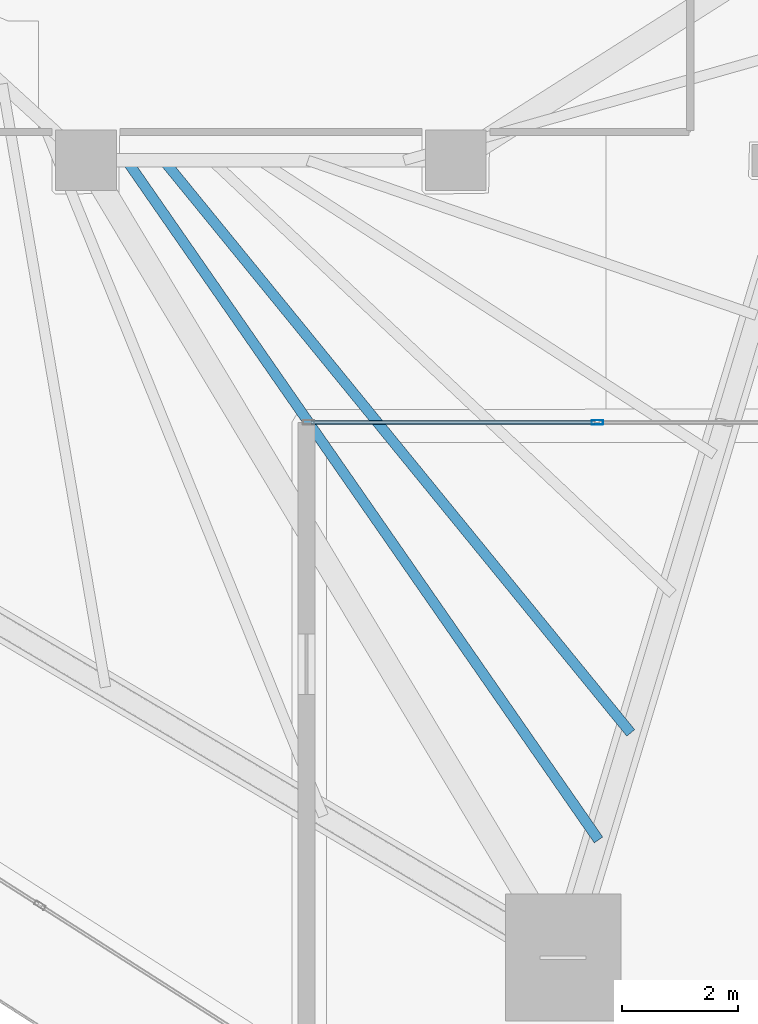
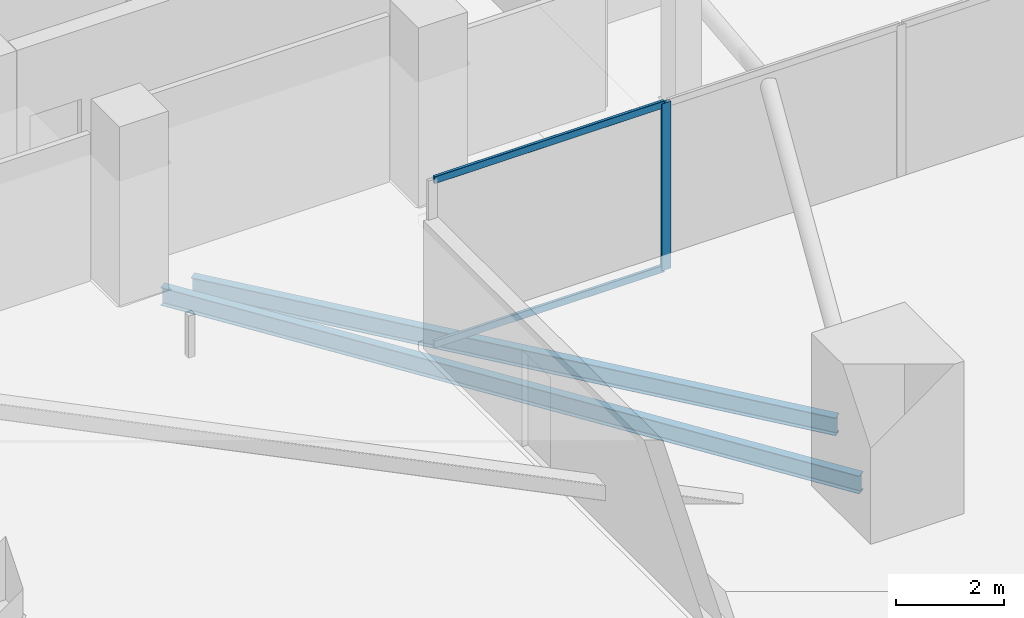
# One storey, part 11 of 43: 3 members, 2 beams, 1 element without a shape of its own.
"""IFC4 building model written with IfcOpenShell, lengths in metres."""

from ifc_helpers import new_model, si_unit, direction, frame, origin, origin_2d, place, context, subcontext, project, spatial, hollow_rectangle, i_section, extrude, material, layer, layer_set, material_profile, profile_set, type_object, element, aggregate, save


model = new_model("IFC4")

# Units and contexts
model_context = context("Model", 3, precision=1e-05, world=origin(), true_north=direction((0.0, 1.0)))
body_context = subcontext(model_context, "Body", "Model", "MODEL_VIEW")
ifc_project = project(units=[si_unit("LENGTHUNIT", "METRE"), si_unit("AREAUNIT", "SQUARE_METRE"), si_unit("VOLUMEUNIT", "CUBIC_METRE"), si_unit("PLANEANGLEUNIT", "RADIAN"), si_unit("MASSUNIT", "GRAM", prefix="KILO")], contexts=[model_context])

# Site, building, storey
site_placement = place(None, origin())
site = spatial("IfcSite", under=ifc_project, at=site_placement, CompositionType="ELEMENT")
building_placement = place(site_placement, origin())
building = spatial("IfcBuilding", under=site, at=building_placement, Name="Qorvath Tower", CompositionType="ELEMENT")
storey_placement = place(building_placement, frame((0.0, 0.0, 150.300048828125)))
storey = spatial("IfcBuildingStorey", under=building, at=storey_placement, Name="L34", CompositionType="ELEMENT", Elevation=150.300048828125)

# Beams
ifc_material_1 = material(Name="Steel ASTM A992 Grade 50", Category="steel")
ifc_material_profile_1 = material_profile(ifc_material_1, i_section(OverallWidth=0.177978515625, OverallDepth=0.406005859375, WebThickness=0.0078125, FlangeThickness=0.0126953125, FilletRadius=0.010986328125, at=origin_2d()), Name="W16x40")
ifc_profile_set_1 = profile_set([ifc_material_profile_1], Name="Steel ASTM A992 Grade 50")
beam_type = type_object("IfcBeamType", Name="BM-FJ3", PredefinedType="JOIST", material=ifc_profile_set_1)
beam_1_placement = place(storey_placement, frame((-22.256103515625, -11.449951171875, -0.47314453125), z_axis=(0.632187975212, -0.774815051478, 0.0), x_axis=(0.774815051478, 0.632187975212, 0.0)))
element("IfcBeam", 1, at=beam_1_placement, inside=storey, type_object=beam_type, Name="Composite Floor Joist SE6 L34", PredefinedType="JOIST", context=body_context, shape_type="SweptSolid", body=[
    extrude(i_section(OverallWidth=0.177978515625, OverallDepth=0.406005859375, WebThickness=0.0078125, FlangeThickness=0.0126953125, FilletRadius=0.010986328125, at=origin_2d()), origin(), (0.0, 0.0, 1.0), 12.784912109375),
])
beam_2_placement = place(storey_placement, frame((-22.89599609375, -11.449951171875, -0.47314453125), z_axis=(0.570366725248, -0.821390162304, 0.0), x_axis=(0.821390162304, 0.570366725248, 0.0)))
element("IfcBeam", 2, at=beam_2_placement, inside=storey, type_object=beam_type, Name="Composite Floor Joist SE7 L34", PredefinedType="JOIST", context=body_context, shape_type="SweptSolid", body=[
    extrude(i_section(OverallWidth=0.177978515625, OverallDepth=0.406005859375, WebThickness=0.0078125, FlangeThickness=0.0126953125, FilletRadius=0.010986328125, at=origin_2d()), origin(), (0.0, 0.0, 1.0), 14.3154296875),
])

# Curtain wall, members
ifc_material_2 = material(Name="Anodised aluminium and triple low-E glass", Category="aluminium")
ifc_layer = layer(ifc_material_2, 0.179931640625)
ifc_layer_set = layer_set([ifc_layer], Name="CW-SYS-5")
curtain_wall_type = type_object("IfcCurtainWallType", Name="CW-SYS-5", PredefinedType="NOTDEFINED", material=ifc_layer_set)
curtain_wall_placement = place(storey_placement, origin())
curtain_wall = element("IfcCurtainWall", 3, at=curtain_wall_placement, inside=storey, type_object=curtain_wall_type, Name="Curtain Wall CW-5 CW-T-L34-2.1", PredefinedType="NOTDEFINED")
ifc_material_3 = material(Name="Anodised aluminium 6063-T6", Category="aluminium")
ifc_material_profile_2 = material_profile(ifc_material_3, hollow_rectangle(XDim=0.074951171875, YDim=0.199951171875, WallThickness=0.00390625, InnerFilletRadius=0.00390625, OuterFilletRadius=0.008056640625, at=origin_2d()), Name="CWM 200x75")
ifc_profile_set_2 = profile_set([ifc_material_profile_2], Name="Anodised aluminium 6063-T6")
member_type_1 = type_object("IfcMemberType", Name="CWM-200", PredefinedType="MULLION", material=ifc_profile_set_2)
member_1_placement = place(storey_placement, frame((-14.751953125, -15.98388671875, 0.0), z_axis=(0.0, 0.0, 1.0), x_axis=(0.0, 1.0, 0.0)))
member_1 = element("IfcMember", 4, at=member_1_placement, type_object=member_type_1, Name="CW-5 mullion 2", PredefinedType="MULLION", context=body_context, shape_type="SweptSolid", body=[
    extrude(hollow_rectangle(XDim=0.074951171875, YDim=0.199951171875, WallThickness=0.00390625, InnerFilletRadius=0.00390625, OuterFilletRadius=0.008056640625, at=origin_2d()), origin(), (0.0, 0.0, 1.0), 3.780029296875),
])
ifc_material_4 = material(Name="Anodised aluminium 6063-T6", Category="aluminium")
ifc_material_profile_3 = material_profile(ifc_material_4, hollow_rectangle(XDim=0.06494140625, YDim=0.159912109375, WallThickness=0.00341796875, InnerFilletRadius=0.00341796875, OuterFilletRadius=0.007080078125, at=origin_2d()), Name="CWT 160x65")
ifc_profile_set_3 = profile_set([ifc_material_profile_3], Name="Anodised aluminium 6063-T6")
member_type_2 = type_object("IfcMemberType", Name="CWT-160", PredefinedType="USERDEFINED", material=ifc_profile_set_3)
member_2_placement = place(storey_placement, frame((-19.708984375, -15.98388671875, 0.032470703125), z_axis=(1.0, 0.0, 0.0), x_axis=(0.0, 1.0, 0.0)))
member_2 = element("IfcMember", 5, at=member_2_placement, type_object=member_type_2, Name="CW-5 transom 1.1", ObjectType="TRANSOM", PredefinedType="USERDEFINED", context=body_context, shape_type="SweptSolid", body=[
    extrude(hollow_rectangle(XDim=0.06494140625, YDim=0.159912109375, WallThickness=0.00341796875, InnerFilletRadius=0.00341796875, OuterFilletRadius=0.007080078125, at=origin_2d()), origin(), (0.0, 0.0, 1.0), 4.91943359375),
])
member_3_placement = place(storey_placement, frame((-19.708984375, -15.98388671875, 3.74755859375), z_axis=(1.0, 0.0, 0.0), x_axis=(0.0, 1.0, 0.0)))
member_3 = element("IfcMember", 6, at=member_3_placement, type_object=member_type_2, Name="CW-5 transom 1.2", ObjectType="TRANSOM", PredefinedType="USERDEFINED", context=body_context, shape_type="SweptSolid", body=[
    extrude(hollow_rectangle(XDim=0.06494140625, YDim=0.159912109375, WallThickness=0.00341796875, InnerFilletRadius=0.00341796875, OuterFilletRadius=0.007080078125, at=origin_2d()), origin(), (0.0, 0.0, 1.0), 4.91943359375),
])
aggregate(curtain_wall, [member_1, member_2, member_3])

save(model, "model.ifc")
